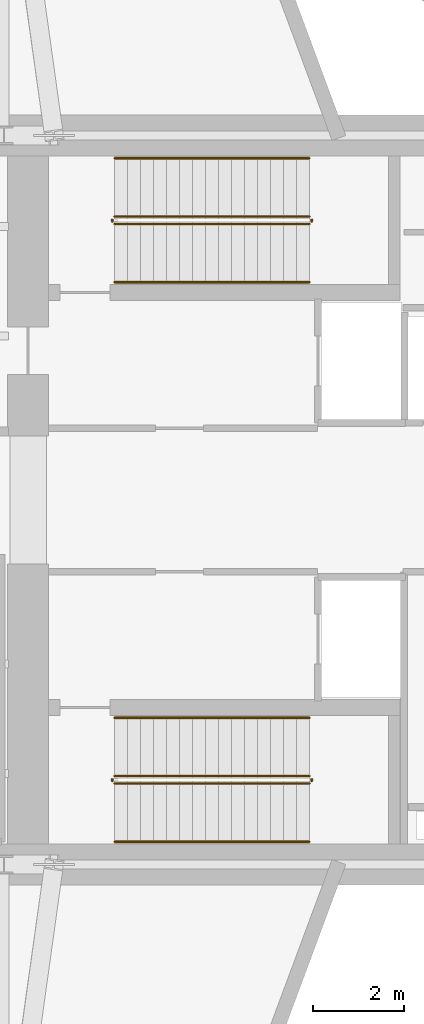
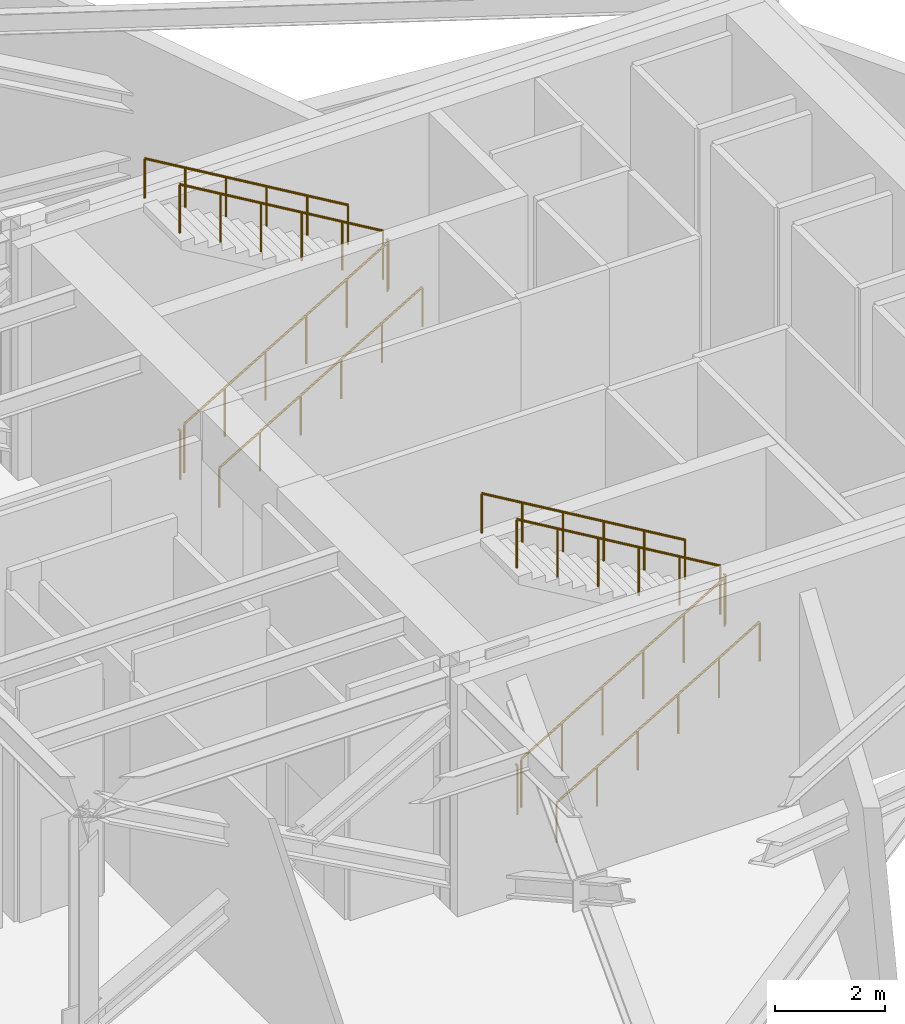
# One storey, part 7 of 7: 12 railings.
"""IFC4 building model written with IfcOpenShell, lengths in metres."""

from ifc_helpers import new_model, si_unit, direction, frame, origin, origin_2d, place, context, subcontext, project, spatial, circle, extrude, material, type_object, element, save


model = new_model("IFC4")

# Units and contexts
model_context = context("Model", 3, precision=1e-05, world=origin(), true_north=direction((0.0, 1.0)))
body_context = subcontext(model_context, "Body", "Model", "MODEL_VIEW")
ifc_project = project(units=[si_unit("LENGTHUNIT", "METRE"), si_unit("AREAUNIT", "SQUARE_METRE"), si_unit("VOLUMEUNIT", "CUBIC_METRE"), si_unit("PLANEANGLEUNIT", "RADIAN"), si_unit("MASSUNIT", "GRAM", prefix="KILO")], contexts=[model_context])

# Site, building, storey
site_placement = place(None, origin())
site = spatial("IfcSite", under=ifc_project, at=site_placement, CompositionType="ELEMENT")
building_placement = place(site_placement, origin())
building = spatial("IfcBuilding", under=site, at=building_placement, Name="Veymaron Broadcast Tower", CompositionType="ELEMENT")
storey_placement = place(building_placement, frame((0.0, 0.0, 32.39990234375)))
storey = spatial("IfcBuildingStorey", under=building, at=storey_placement, Name="L06", CompositionType="ELEMENT", Elevation=32.39990234375)

# Railings
ifc_material_1 = material(Name="Brushed stainless steel AISI 304", Category="steel")
railing_type_1 = type_object("IfcRailingType", Name="RAIL-STAIR-HR", PredefinedType="HANDRAIL", material=ifc_material_1)
railing_1_placement = place(storey_placement, frame((41.429931640625, 28.780029296875, 0.1689453125)))
element("IfcRailing", 1, at=railing_1_placement, inside=storey, type_object=railing_type_1, Name="L06 ST1 stair handrail 1", PredefinedType="HANDRAIL", context=body_context, shape_type="SweptSolid", body=[
    extrude(circle(Radius=0.02392578125, at=origin_2d()), frame((0.0, 0.0, 0.8759765625), z_axis=(0.860483042394, 0.0, 0.50947908078), x_axis=(0.0, 1.0, 0.0)), (0.0, 0.0, 1.0), 4.96826171875),
    extrude(circle(Radius=0.02099609375, at=origin_2d()), origin(), (0.0, 0.0, 1.0), 0.851806640625),
    extrude(circle(Radius=0.02099609375, at=origin_2d()), frame((0.85498046875, 0.0, 0.50634765625)), (0.0, 0.0, 1.0), 0.851806640625),
    extrude(circle(Radius=0.02099609375, at=origin_2d()), frame((1.7099609375, 0.0, 1.012451171875)), (0.0, 0.0, 1.0), 0.851806640625),
    extrude(circle(Radius=0.02099609375, at=origin_2d()), frame((2.565185546875, 0.0, 1.518798828125)), (0.0, 0.0, 1.0), 0.851806640625),
    extrude(circle(Radius=0.02099609375, at=origin_2d()), frame((3.420166015625, 0.0, 2.02490234375)), (0.0, 0.0, 1.0), 0.851806640625),
    extrude(circle(Radius=0.02099609375, at=origin_2d()), frame((4.275146484375, 0.0, 2.53125)), (0.0, 0.0, 1.0), 0.851806640625),
])
railing_2_placement = place(storey_placement, frame((45.705078125, 31.5, 2.868896484375)))
element("IfcRailing", 2, at=railing_2_placement, inside=storey, type_object=railing_type_1, Name="L06 ST1 stair handrail 2", PredefinedType="HANDRAIL", context=body_context, shape_type="SweptSolid", body=[
    extrude(circle(Radius=0.02392578125, at=origin_2d()), frame((0.0, 0.0, 0.8759765625), z_axis=(-0.860483042394, 0.0, 0.50947908078), x_axis=(0.0, -1.0, 0.0)), (0.0, 0.0, 1.0), 4.96826171875),
    extrude(circle(Radius=0.02099609375, at=origin_2d()), origin(), (0.0, 0.0, 1.0), 0.851806640625),
    extrude(circle(Radius=0.02099609375, at=origin_2d()), frame((-0.85498046875, 0.0, 0.50634765625)), (0.0, 0.0, 1.0), 0.851806640625),
    extrude(circle(Radius=0.02099609375, at=origin_2d()), frame((-1.7099609375, 0.0, 1.012451171875)), (0.0, 0.0, 1.0), 0.851806640625),
    extrude(circle(Radius=0.02099609375, at=origin_2d()), frame((-2.565185546875, 0.0, 1.518798828125)), (0.0, 0.0, 1.0), 0.851806640625),
    extrude(circle(Radius=0.02099609375, at=origin_2d()), frame((-3.420166015625, 0.0, 2.02490234375)), (0.0, 0.0, 1.0), 0.851806640625),
    extrude(circle(Radius=0.02099609375, at=origin_2d()), frame((-4.275146484375, 0.0, 2.53125)), (0.0, 0.0, 1.0), 0.851806640625),
])
railing_3_placement = place(storey_placement, frame((41.429931640625, 16.5, 0.1689453125)))
element("IfcRailing", 3, at=railing_3_placement, inside=storey, type_object=railing_type_1, Name="L06 ST2 stair handrail 1", PredefinedType="HANDRAIL", context=body_context, shape_type="SweptSolid", body=[
    extrude(circle(Radius=0.02392578125, at=origin_2d()), frame((0.0, 0.0, 0.8759765625), z_axis=(0.860483042394, 0.0, 0.50947908078), x_axis=(0.0, 1.0, 0.0)), (0.0, 0.0, 1.0), 4.96826171875),
    extrude(circle(Radius=0.02099609375, at=origin_2d()), origin(), (0.0, 0.0, 1.0), 0.851806640625),
    extrude(circle(Radius=0.02099609375, at=origin_2d()), frame((0.85498046875, 0.0, 0.50634765625)), (0.0, 0.0, 1.0), 0.851806640625),
    extrude(circle(Radius=0.02099609375, at=origin_2d()), frame((1.7099609375, 0.0, 1.012451171875)), (0.0, 0.0, 1.0), 0.851806640625),
    extrude(circle(Radius=0.02099609375, at=origin_2d()), frame((2.565185546875, 0.0, 1.518798828125)), (0.0, 0.0, 1.0), 0.851806640625),
    extrude(circle(Radius=0.02099609375, at=origin_2d()), frame((3.420166015625, 0.0, 2.02490234375)), (0.0, 0.0, 1.0), 0.851806640625),
    extrude(circle(Radius=0.02099609375, at=origin_2d()), frame((4.275146484375, 0.0, 2.53125)), (0.0, 0.0, 1.0), 0.851806640625),
])
railing_4_placement = place(storey_placement, frame((45.705078125, 19.219970703125, 2.868896484375)))
element("IfcRailing", 4, at=railing_4_placement, inside=storey, type_object=railing_type_1, Name="L06 ST2 stair handrail 2", PredefinedType="HANDRAIL", context=body_context, shape_type="SweptSolid", body=[
    extrude(circle(Radius=0.02392578125, at=origin_2d()), frame((0.0, 0.0, 0.8759765625), z_axis=(-0.860483042394, 0.0, 0.50947908078), x_axis=(0.0, -1.0, 0.0)), (0.0, 0.0, 1.0), 4.96826171875),
    extrude(circle(Radius=0.02099609375, at=origin_2d()), origin(), (0.0, 0.0, 1.0), 0.851806640625),
    extrude(circle(Radius=0.02099609375, at=origin_2d()), frame((-0.85498046875, 0.0, 0.50634765625)), (0.0, 0.0, 1.0), 0.851806640625),
    extrude(circle(Radius=0.02099609375, at=origin_2d()), frame((-1.7099609375, 0.0, 1.012451171875)), (0.0, 0.0, 1.0), 0.851806640625),
    extrude(circle(Radius=0.02099609375, at=origin_2d()), frame((-2.565185546875, 0.0, 1.518798828125)), (0.0, 0.0, 1.0), 0.851806640625),
    extrude(circle(Radius=0.02099609375, at=origin_2d()), frame((-3.420166015625, 0.0, 2.02490234375)), (0.0, 0.0, 1.0), 0.851806640625),
    extrude(circle(Radius=0.02099609375, at=origin_2d()), frame((-4.275146484375, 0.0, 2.53125)), (0.0, 0.0, 1.0), 0.851806640625),
])
ifc_material_2 = material(Name="Painted galvanized steel balustrade", Category="steel")
railing_type_2 = type_object("IfcRailingType", Name="RAIL-WELL-GRD", PredefinedType="GUARDRAIL", material=ifc_material_2)
railing_5_placement = place(storey_placement, frame((41.429931640625, 30.06005859375, 0.1689453125)))
element("IfcRailing", 5, at=railing_5_placement, inside=storey, type_object=railing_type_2, Name="L06 ST1 stair guard 1", PredefinedType="GUARDRAIL", context=body_context, shape_type="SweptSolid", body=[
    extrude(circle(Radius=0.02392578125, at=origin_2d()), frame((0.0, 0.0, 1.076171875), z_axis=(0.860483042394, 0.0, 0.50947908078), x_axis=(0.0, 1.0, 0.0)), (0.0, 0.0, 1.0), 4.96826171875),
    extrude(circle(Radius=0.02099609375, at=origin_2d()), origin(), (0.0, 0.0, 1.0), 1.052001953125),
    extrude(circle(Radius=0.02099609375, at=origin_2d()), frame((0.85498046875, 0.0, 0.50634765625)), (0.0, 0.0, 1.0), 1.052001953125),
    extrude(circle(Radius=0.02099609375, at=origin_2d()), frame((1.7099609375, 0.0, 1.012451171875)), (0.0, 0.0, 1.0), 1.052001953125),
    extrude(circle(Radius=0.02099609375, at=origin_2d()), frame((2.565185546875, 0.0, 1.518798828125)), (0.0, 0.0, 1.0), 1.052001953125),
    extrude(circle(Radius=0.02099609375, at=origin_2d()), frame((3.420166015625, 0.0, 2.02490234375)), (0.0, 0.0, 1.0), 1.052001953125),
    extrude(circle(Radius=0.02099609375, at=origin_2d()), frame((4.275146484375, 0.0, 2.53125)), (0.0, 0.0, 1.0), 1.052001953125),
])
railing_6_placement = place(storey_placement, frame((45.7548828125, 30.110107421875, 2.7001953125)))
element("IfcRailing", 6, at=railing_6_placement, inside=storey, type_object=railing_type_2, Name="L06 ST1 stair guard 2", PredefinedType="GUARDRAIL", context=body_context, shape_type="SweptSolid", body=[
    extrude(circle(Radius=0.02392578125, at=origin_2d()), frame((0.0, 0.0, 1.076171875), z_axis=(0.0, 1.0, 0.0), x_axis=(-1.0, 0.0, 0.0)), (0.0, 0.0, 1.0), 0.059814453125),
    extrude(circle(Radius=0.02099609375, at=origin_2d()), origin(), (0.0, 0.0, 1.0), 1.052001953125),
])
railing_7_placement = place(storey_placement, frame((45.705078125, 30.219970703125, 2.868896484375)))
element("IfcRailing", 7, at=railing_7_placement, inside=storey, type_object=railing_type_2, Name="L06 ST1 stair guard 3", PredefinedType="GUARDRAIL", context=body_context, shape_type="SweptSolid", body=[
    extrude(circle(Radius=0.02392578125, at=origin_2d()), frame((0.0, 0.0, 1.076171875), z_axis=(-0.860483042394, 0.0, 0.50947908078), x_axis=(0.0, -1.0, 0.0)), (0.0, 0.0, 1.0), 4.96826171875),
    extrude(circle(Radius=0.02099609375, at=origin_2d()), origin(), (0.0, 0.0, 1.0), 1.052001953125),
    extrude(circle(Radius=0.02099609375, at=origin_2d()), frame((-0.85498046875, 0.0, 0.50634765625)), (0.0, 0.0, 1.0), 1.052001953125),
    extrude(circle(Radius=0.02099609375, at=origin_2d()), frame((-1.7099609375, 0.0, 1.012451171875)), (0.0, 0.0, 1.0), 1.052001953125),
    extrude(circle(Radius=0.02099609375, at=origin_2d()), frame((-2.565185546875, 0.0, 1.518798828125)), (0.0, 0.0, 1.0), 1.052001953125),
    extrude(circle(Radius=0.02099609375, at=origin_2d()), frame((-3.420166015625, 0.0, 2.02490234375)), (0.0, 0.0, 1.0), 1.052001953125),
    extrude(circle(Radius=0.02099609375, at=origin_2d()), frame((-4.275146484375, 0.0, 2.53125)), (0.0, 0.0, 1.0), 1.052001953125),
])
railing_8_placement = place(storey_placement, frame((41.3798828125, 30.110107421875, 0.0)))
element("IfcRailing", 8, at=railing_8_placement, inside=storey, type_object=railing_type_2, Name="L06 ST1 stair guard 4", PredefinedType="GUARDRAIL", context=body_context, shape_type="SweptSolid", body=[
    extrude(circle(Radius=0.02392578125, at=origin_2d()), frame((0.0, 0.0, 1.076171875), z_axis=(0.0, 1.0, 0.0), x_axis=(-1.0, 0.0, 0.0)), (0.0, 0.0, 1.0), 0.059814453125),
    extrude(circle(Radius=0.02099609375, at=origin_2d()), origin(), (0.0, 0.0, 1.0), 1.052001953125),
])
railing_9_placement = place(storey_placement, frame((41.429931640625, 17.780029296875, 0.1689453125)))
element("IfcRailing", 9, at=railing_9_placement, inside=storey, type_object=railing_type_2, Name="L06 ST2 stair guard 1", PredefinedType="GUARDRAIL", context=body_context, shape_type="SweptSolid", body=[
    extrude(circle(Radius=0.02392578125, at=origin_2d()), frame((0.0, 0.0, 1.076171875), z_axis=(0.860483042394, 0.0, 0.50947908078), x_axis=(0.0, 1.0, 0.0)), (0.0, 0.0, 1.0), 4.96826171875),
    extrude(circle(Radius=0.02099609375, at=origin_2d()), origin(), (0.0, 0.0, 1.0), 1.052001953125),
    extrude(circle(Radius=0.02099609375, at=origin_2d()), frame((0.85498046875, 0.0, 0.50634765625)), (0.0, 0.0, 1.0), 1.052001953125),
    extrude(circle(Radius=0.02099609375, at=origin_2d()), frame((1.7099609375, 0.0, 1.012451171875)), (0.0, 0.0, 1.0), 1.052001953125),
    extrude(circle(Radius=0.02099609375, at=origin_2d()), frame((2.565185546875, 0.0, 1.518798828125)), (0.0, 0.0, 1.0), 1.052001953125),
    extrude(circle(Radius=0.02099609375, at=origin_2d()), frame((3.420166015625, 0.0, 2.02490234375)), (0.0, 0.0, 1.0), 1.052001953125),
    extrude(circle(Radius=0.02099609375, at=origin_2d()), frame((4.275146484375, 0.0, 2.53125)), (0.0, 0.0, 1.0), 1.052001953125),
])
railing_10_placement = place(storey_placement, frame((45.7548828125, 17.830078125, 2.7001953125)))
element("IfcRailing", 10, at=railing_10_placement, inside=storey, type_object=railing_type_2, Name="L06 ST2 stair guard 2", PredefinedType="GUARDRAIL", context=body_context, shape_type="SweptSolid", body=[
    extrude(circle(Radius=0.02392578125, at=origin_2d()), frame((0.0, 0.0, 1.076171875), z_axis=(0.0, 1.0, 0.0), x_axis=(-1.0, 0.0, 0.0)), (0.0, 0.0, 1.0), 0.059814453125),
    extrude(circle(Radius=0.02099609375, at=origin_2d()), origin(), (0.0, 0.0, 1.0), 1.052001953125),
])
railing_11_placement = place(storey_placement, frame((45.705078125, 17.93994140625, 2.868896484375)))
element("IfcRailing", 11, at=railing_11_placement, inside=storey, type_object=railing_type_2, Name="L06 ST2 stair guard 3", PredefinedType="GUARDRAIL", context=body_context, shape_type="SweptSolid", body=[
    extrude(circle(Radius=0.02392578125, at=origin_2d()), frame((0.0, 0.0, 1.076171875), z_axis=(-0.860483042394, 0.0, 0.50947908078), x_axis=(0.0, -1.0, 0.0)), (0.0, 0.0, 1.0), 4.96826171875),
    extrude(circle(Radius=0.02099609375, at=origin_2d()), origin(), (0.0, 0.0, 1.0), 1.052001953125),
    extrude(circle(Radius=0.02099609375, at=origin_2d()), frame((-0.85498046875, 0.0, 0.50634765625)), (0.0, 0.0, 1.0), 1.052001953125),
    extrude(circle(Radius=0.02099609375, at=origin_2d()), frame((-1.7099609375, 0.0, 1.012451171875)), (0.0, 0.0, 1.0), 1.052001953125),
    extrude(circle(Radius=0.02099609375, at=origin_2d()), frame((-2.565185546875, 0.0, 1.518798828125)), (0.0, 0.0, 1.0), 1.052001953125),
    extrude(circle(Radius=0.02099609375, at=origin_2d()), frame((-3.420166015625, 0.0, 2.02490234375)), (0.0, 0.0, 1.0), 1.052001953125),
    extrude(circle(Radius=0.02099609375, at=origin_2d()), frame((-4.275146484375, 0.0, 2.53125)), (0.0, 0.0, 1.0), 1.052001953125),
])
railing_12_placement = place(storey_placement, frame((41.3798828125, 17.830078125, 0.0)))
element("IfcRailing", 12, at=railing_12_placement, inside=storey, type_object=railing_type_2, Name="L06 ST2 stair guard 4", PredefinedType="GUARDRAIL", context=body_context, shape_type="SweptSolid", body=[
    extrude(circle(Radius=0.02392578125, at=origin_2d()), frame((0.0, 0.0, 1.076171875), z_axis=(0.0, 1.0, 0.0), x_axis=(-1.0, 0.0, 0.0)), (0.0, 0.0, 1.0), 0.059814453125),
    extrude(circle(Radius=0.02099609375, at=origin_2d()), origin(), (0.0, 0.0, 1.0), 1.052001953125),
])

save(model, "model.ifc")
